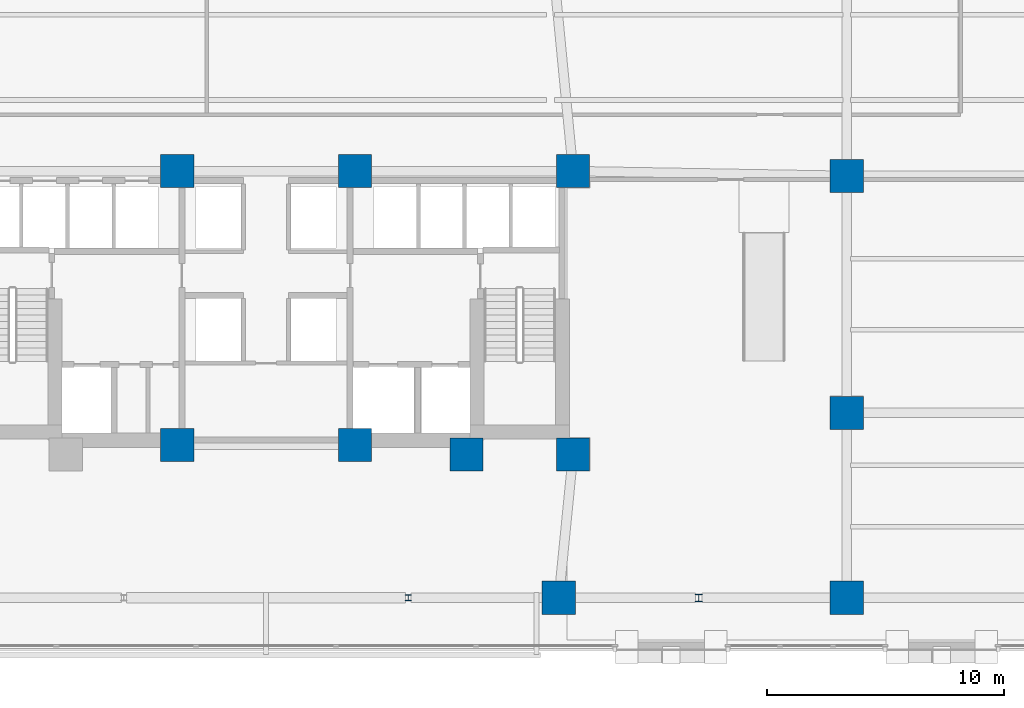
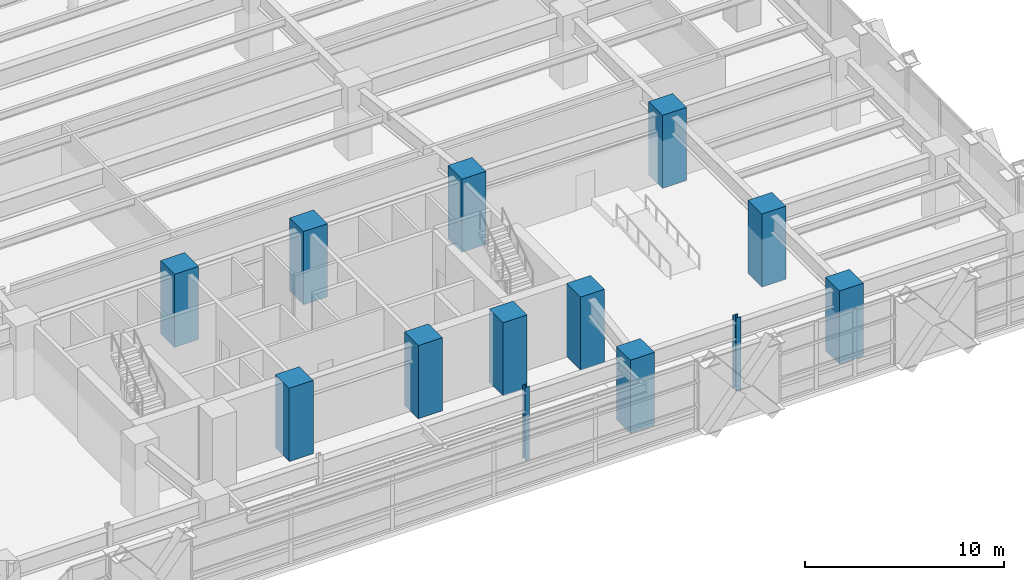
# One storey, part 3 of 30: 13 columns.
"""IFC4 building model written with IfcOpenShell, lengths in metres."""

from ifc_helpers import new_model, si_unit, direction, frame, origin, origin_2d, place, context, subcontext, project, spatial, rectangle, i_section, extrude, material, material_profile, profile_set, type_object, element, save


model = new_model("IFC4")

# Units and contexts
model_context = context("Model", 3, precision=1e-05, world=origin(), true_north=direction((0.0, 1.0)))
body_context = subcontext(model_context, "Body", "Model", "MODEL_VIEW")
ifc_project = project(units=[si_unit("LENGTHUNIT", "METRE"), si_unit("AREAUNIT", "SQUARE_METRE"), si_unit("VOLUMEUNIT", "CUBIC_METRE"), si_unit("PLANEANGLEUNIT", "RADIAN"), si_unit("MASSUNIT", "GRAM", prefix="KILO")], contexts=[model_context])

# Site, building, storey
site_placement = place(None, origin())
site = spatial("IfcSite", under=ifc_project, at=site_placement, CompositionType="ELEMENT")
building_placement = place(site_placement, origin())
building = spatial("IfcBuilding", under=site, at=building_placement, Name="Quenlor Broadcast Tower", CompositionType="ELEMENT")
storey_placement = place(building_placement, frame((0.0, 0.0, 9.5)))
storey = spatial("IfcBuildingStorey", under=building, at=storey_placement, Name="L02", CompositionType="ELEMENT", Elevation=9.5)

# Columns
ifc_material_1 = material(Name="Concrete C65/80", Category="concrete")
ifc_material_profile_1 = material_profile(ifc_material_1, rectangle(XDim=1.39990234375, YDim=1.39990234375, at=origin_2d()))
ifc_profile_set_1 = profile_set([ifc_material_profile_1], Name="Concrete C65/80 RC1400x1400")
column_type_1 = type_object("IfcColumnType", Name="Core Corner Column Lower Concrete C65/80 1400", PredefinedType="COLUMN", material=ifc_profile_set_1)
for number, where, z_axis, x_axis, name in (
    (1, (-3.75, -16.35009765625, 0.0), (0.0, 0.0, 1.0), (1.0, 0.0, 0.0), "L02 Core Column CC3"),
    (2, (3.75, -16.35009765625, 0.0), (0.0, 0.0, 1.0), (1.0, 0.0, 0.0), "L02 Core Column CC4"),
    (3, (8.449951171875, -16.75, 0.0), (0.0, 0.0, 1.0), (1.0, 0.0, 0.0), "L02 Core Column CC5"),
    (4, (12.949951171875, -16.75, 0.0), (0.0, 0.0, 1.0), (1.0, 0.0, 0.0), "L02 Core Column CC6"),
    (5, (-3.75, -4.800048828125, 0.0), (0.0, 0.0, 1.0), (1.0, 0.0, 0.0), "L02 Core Column CC8"),
    (6, (3.75, -4.800048828125, 0.0), (0.0, 0.0, 1.0), (1.0, 0.0, 0.0), "L02 Core Column CC9"),
    (7, (12.949951171875, -4.800048828125, 0.0), (0.0, 0.0, 1.0), (1.0, 0.0, 0.0), "L02 Core Column CC10"),
):
    element("IfcColumn", number, at=place(storey_placement, frame(where, z_axis=z_axis, x_axis=x_axis)), inside=storey, type_object=column_type_1, Name=name, PredefinedType="COLUMN", context=body_context, shape_type="SweptSolid", body=[
        extrude(rectangle(XDim=1.39990234375, YDim=1.39990234375, at=origin_2d()), origin(), (0.0, 0.0, 1.0), 4.5),
    ])
ifc_material_2 = material(Name="Steel S355", Category="steel")
ifc_material_profile_2 = material_profile(ifc_material_2, i_section(OverallWidth=0.30908203125, OverallDepth=0.320556640625, WebThickness=0.013916015625, FlangeThickness=0.021728515625, FilletRadius=0.0166015625, at=origin_2d()))
ifc_profile_set_2 = profile_set([ifc_material_profile_2], Name="Steel S355 310UC137")
column_type_2 = type_object("IfcColumnType", Name="Podium Canopy Post Steel S355 310UC137", PredefinedType="COLUMN", material=ifc_profile_set_2)
column_1_placement = place(storey_placement, frame((18.25, -22.800048828125, 0.0), z_axis=(0.0, 0.0, 1.0), x_axis=(1.0, 0.0, 0.0)))
element("IfcColumn", 8, at=column_1_placement, inside=storey, type_object=column_type_2, Name="L02 Station Steel Column SPE1", PredefinedType="COLUMN", context=body_context, shape_type="SweptSolid", body=[
    extrude(i_section(OverallWidth=0.30908203125, OverallDepth=0.320556640625, WebThickness=0.013916015625, FlangeThickness=0.021728515625, FilletRadius=0.0166015625, at=origin_2d()), origin(), (0.0, 0.0, 1.0), 4.5),
])
ifc_material_3 = material(Name="Steel S355", Category="steel")
ifc_material_profile_3 = material_profile(ifc_material_3, i_section(OverallWidth=0.256103515625, OverallDepth=0.260009765625, WebThickness=0.010498046875, FlangeThickness=0.017333984375, FilletRadius=0.013916015625, at=origin_2d()))
ifc_profile_set_3 = profile_set([ifc_material_profile_3], Name="Steel S355 250UC89.5")
column_type_3 = type_object("IfcColumnType", Name="Podium Gallery Post Steel S355 250UC89.5", PredefinedType="COLUMN", material=ifc_profile_set_3)
column_2_placement = place(storey_placement, frame((6.0, -22.800048828125, 0.0), z_axis=(0.0, 0.0, 1.0), x_axis=(1.0, 0.0, 0.0)))
element("IfcColumn", 9, at=column_2_placement, inside=storey, type_object=column_type_3, Name="L02 Station Steel Column SPE2", PredefinedType="COLUMN", context=body_context, shape_type="SweptSolid", body=[
    extrude(i_section(OverallWidth=0.256103515625, OverallDepth=0.260009765625, WebThickness=0.010498046875, FlangeThickness=0.017333984375, FilletRadius=0.013916015625, at=origin_2d()), origin(), (0.0, 0.0, 1.0), 4.5),
])
ifc_material_4 = material(Name="Concrete C65/80", Category="concrete")
ifc_material_profile_4 = material_profile(ifc_material_4, rectangle(XDim=1.39990234375, YDim=1.39990234375, at=origin_2d()))
ifc_profile_set_4 = profile_set([ifc_material_profile_4], Name="Concrete C65/80 RC1400x1400")
column_type_4 = type_object("IfcColumnType", Name="Podium Mega Column Concrete C65/80 1400", PredefinedType="COLUMN", material=ifc_profile_set_4)
for number, where, z_axis, x_axis, name in (
    (10, (12.35009765625, -22.800048828125, 0.0), (0.0, 0.0, 1.0), (1.0, 0.0, 0.0), "L02 Podium Mega Column PM4"),
    (11, (24.5, -22.800048828125, 0.0), (0.0, 0.0, 1.0), (1.0, 0.0, 0.0), "L02 Podium Mega Column PM5"),
    (12, (24.5, -15.0, 0.0), (0.0, 0.0, 1.0), (1.0, 0.0, 0.0), "L02 Podium Mega Column PM9"),
    (13, (24.5, -5.0, 0.0), (0.0, 0.0, 1.0), (1.0, 0.0, 0.0), "L02 Podium Mega Column PM13"),
):
    element("IfcColumn", number, at=place(storey_placement, frame(where, z_axis=z_axis, x_axis=x_axis)), inside=storey, type_object=column_type_4, Name=name, PredefinedType="COLUMN", context=body_context, shape_type="SweptSolid", body=[
        extrude(rectangle(XDim=1.39990234375, YDim=1.39990234375, at=origin_2d()), origin(), (0.0, 0.0, 1.0), 4.5),
    ])

save(model, "model.ifc")
